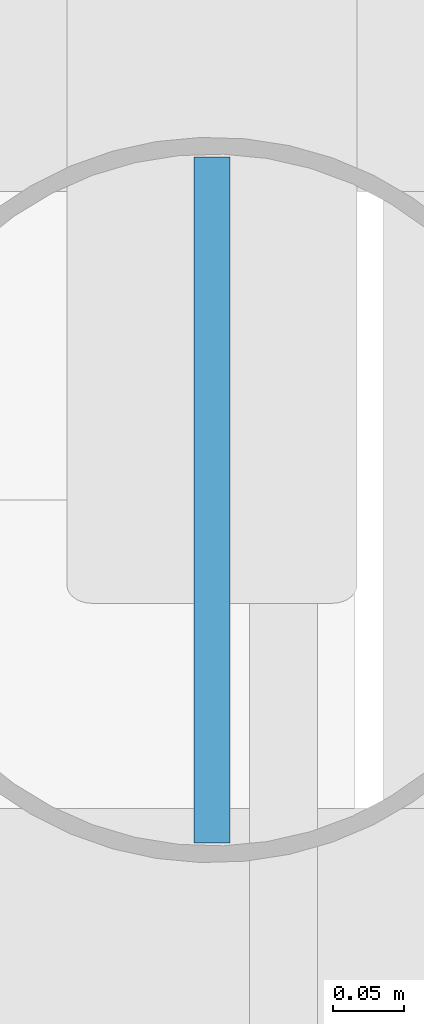
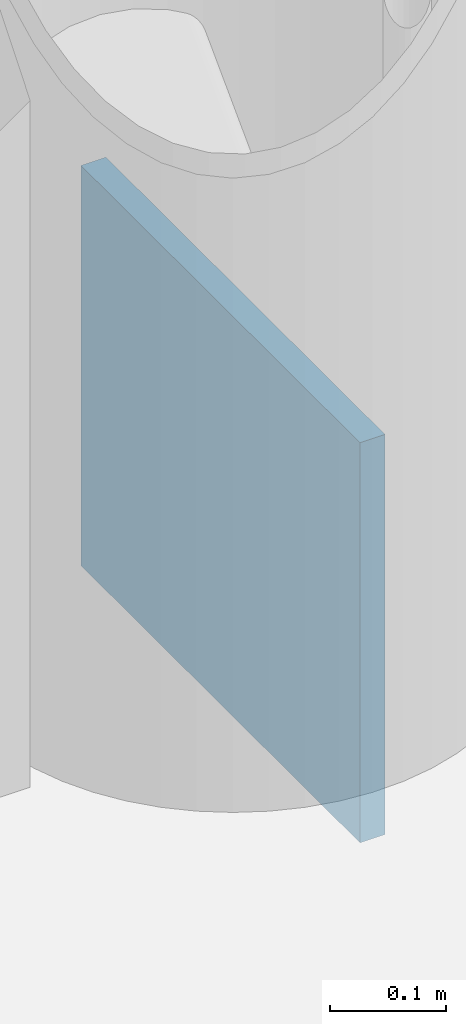
# One storey, part 117 of 156: 1 plate.
"""IFC4 building model written with IfcOpenShell, lengths in metres."""

from ifc_helpers import new_model, si_unit, direction, frame, origin, origin_2d, place, context, subcontext, project, spatial, rectangle, extrude, material, layer, layer_set, type_object, element, save


model = new_model("IFC4")

# Units and contexts
model_context = context("Model", 3, precision=1e-05, world=origin(), true_north=direction((0.0, 1.0)))
body_context = subcontext(model_context, "Body", "Model", "MODEL_VIEW")
ifc_project = project(units=[si_unit("LENGTHUNIT", "METRE"), si_unit("AREAUNIT", "SQUARE_METRE"), si_unit("VOLUMEUNIT", "CUBIC_METRE"), si_unit("PLANEANGLEUNIT", "RADIAN"), si_unit("MASSUNIT", "GRAM", prefix="KILO")], contexts=[model_context])

# Site, building, storey
site_placement = place(None, origin())
site = spatial("IfcSite", under=ifc_project, at=site_placement, CompositionType="ELEMENT")
building_placement = place(site_placement, origin())
building = spatial("IfcBuilding", under=site, at=building_placement, Name="Caurita Quay Ferry Terminal", CompositionType="ELEMENT")
storey_placement = place(building_placement, frame((0.0, 0.0, 5.39990234375)))
storey = spatial("IfcBuildingStorey", under=building, at=storey_placement, Name="L01", CompositionType="ELEMENT", Elevation=5.39990234375)

# Plate
ifc_material = material(Name="Structural plate steel ASTM A572 Gr. 50", Category="steel")
ifc_layer = layer(ifc_material, 0.01806640625, Name="Structural steel connection plate 18 mm")
ifc_layer_set = layer_set([ifc_layer], Name="Structural plate steel ASTM A572 Gr. 50")
plate_type = type_object("IfcPlateType", Name="PLT-STL-18", PredefinedType="USERDEFINED", material=ifc_layer_set)
plate_placement = place(storey_placement, frame((131.800048828125, 62.699951171875, -0.059814453125), z_axis=(0.0, 0.0, 1.0), x_axis=(0.0, 1.0, 0.0)))
element("IfcPlate", 1, at=plate_placement, inside=storey, type_object=plate_type, Name="L01 Seismic Brace Gusset 14-BSL", ObjectType="GUSSET PLATE", PredefinedType="USERDEFINED", context=body_context, shape_type="SweptSolid", body=[
    extrude(rectangle(XDim=0.47998046875, YDim=0.02490234375, at=origin_2d()), origin(), (0.0, 0.0, 1.0), 0.419921875),
])

save(model, "model.ifc")
